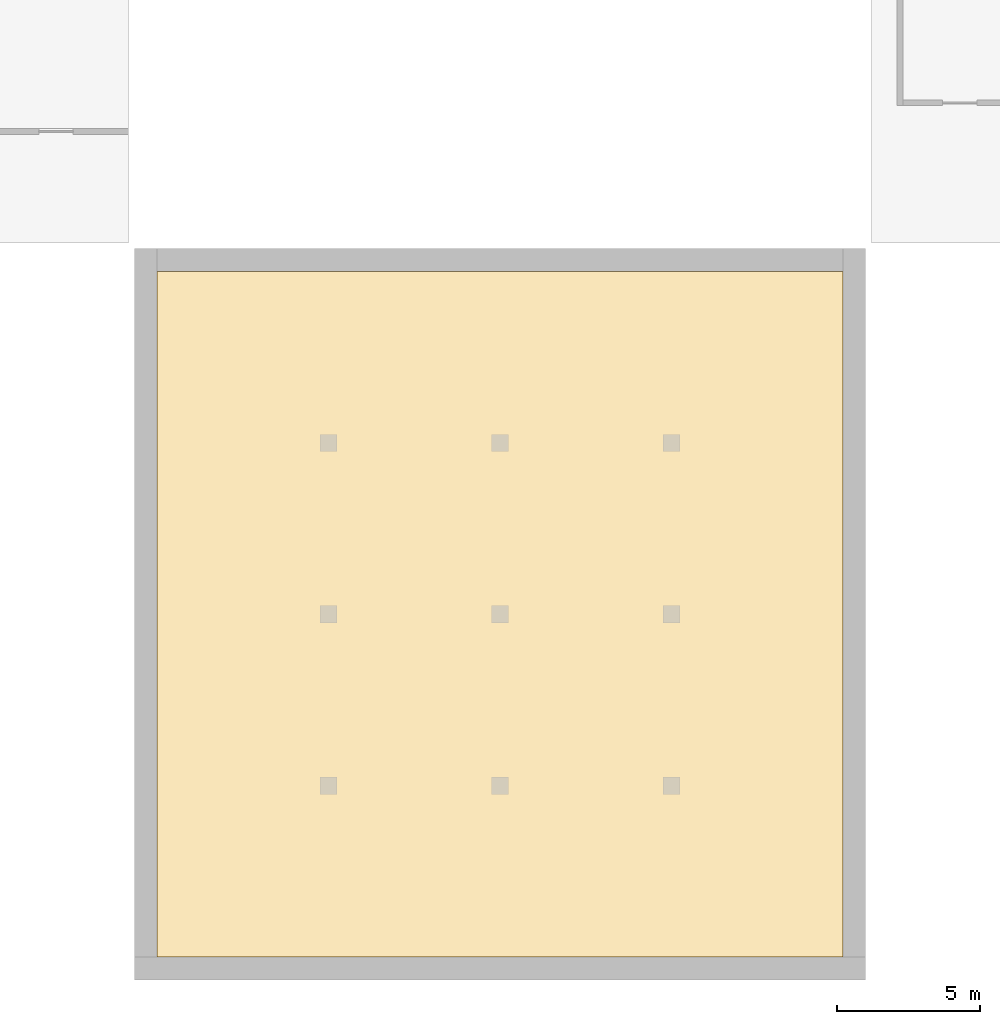
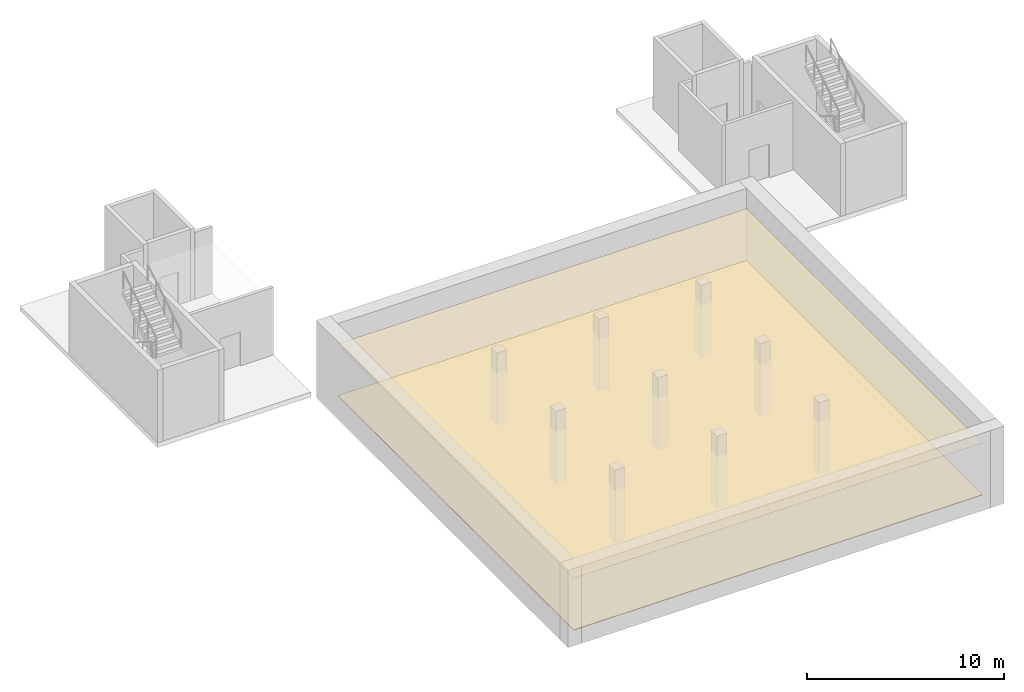
# One storey, part 2 of 7: 2 coverings.
"""IFC4 building model written with IfcOpenShell, lengths in metres."""

from ifc_helpers import new_model, si_unit, direction, frame, origin, place, context, subcontext, project, spatial, polyline, outline, extrude, material, layer, layer_set, type_object, element, save


model = new_model("IFC4")

# Units and contexts
model_context = context("Model", 3, precision=1e-05, world=origin(), true_north=direction((0.0, 1.0)))
body_context = subcontext(model_context, "Body", "Model", "MODEL_VIEW")
ifc_project = project(units=[si_unit("LENGTHUNIT", "METRE"), si_unit("AREAUNIT", "SQUARE_METRE"), si_unit("VOLUMEUNIT", "CUBIC_METRE"), si_unit("PLANEANGLEUNIT", "RADIAN"), si_unit("MASSUNIT", "GRAM", prefix="KILO")], contexts=[model_context])

# Site, building, storey
site_placement = place(None, origin())
site = spatial("IfcSite", under=ifc_project, at=site_placement, CompositionType="ELEMENT")
building_placement = place(site_placement, origin())
building = spatial("IfcBuilding", under=site, at=building_placement, Name="Lunette Opera House", CompositionType="ELEMENT")
storey_placement = place(building_placement, frame((0.0, 0.0, -10.5)))
storey = spatial("IfcBuildingStorey", under=building, at=storey_placement, Name="B2", CompositionType="ELEMENT", Elevation=-10.5)

# Coverings
ifc_material_1 = material(Name="Mineral fibre board")
ifc_layer_1 = layer(ifc_material_1, 0.014892578125)
ifc_layer_set_1 = layer_set([ifc_layer_1], Name="Mineral fibre board")
covering_type_1 = type_object("IfcCoveringType", Name="SUSPENDED ACOUSTIC CEILING 15", PredefinedType="CEILING", material=ifc_layer_set_1)
covering_1_placement = place(storey_placement, frame((0.0, 0.0, 3.235107421875)))
element("IfcCovering", 1, at=covering_1_placement, inside=storey, type_object=covering_type_1, Name="Ceiling Hydraulic Machinery Pit", PredefinedType="CEILING", context=body_context, shape_type="SweptSolid", body=[
    extrude(outline(polyline([(108.0, 96.0), (108.0, 120.0), (84.0, 120.0), (84.0, 96.0), (108.0, 96.0)])), origin(), (0.0, 0.0, 1.0), 0.014892578125),
])
ifc_material_2 = material(Name="Timber", Category="wood")
ifc_layer_2 = layer(ifc_material_2, 0.0400390625)
ifc_layer_set_2 = layer_set([ifc_layer_2], Name="Timber")
covering_type_2 = type_object("IfcCoveringType", Name="TIMBER FLOOR FINISH 40", PredefinedType="FLOORING", material=ifc_layer_set_2)
covering_2_placement = place(storey_placement, origin())
element("IfcCovering", 2, at=covering_2_placement, inside=storey, type_object=covering_type_2, Name="Floor finish Hydraulic Machinery Pit", PredefinedType="FLOORING", context=body_context, shape_type="SweptSolid", body=[
    extrude(outline(polyline([(108.0, 96.0), (108.0, 120.0), (84.0, 120.0), (84.0, 96.0), (108.0, 96.0)])), origin(), (0.0, 0.0, 1.0), 0.0400390625),
])

save(model, "model.ifc")
